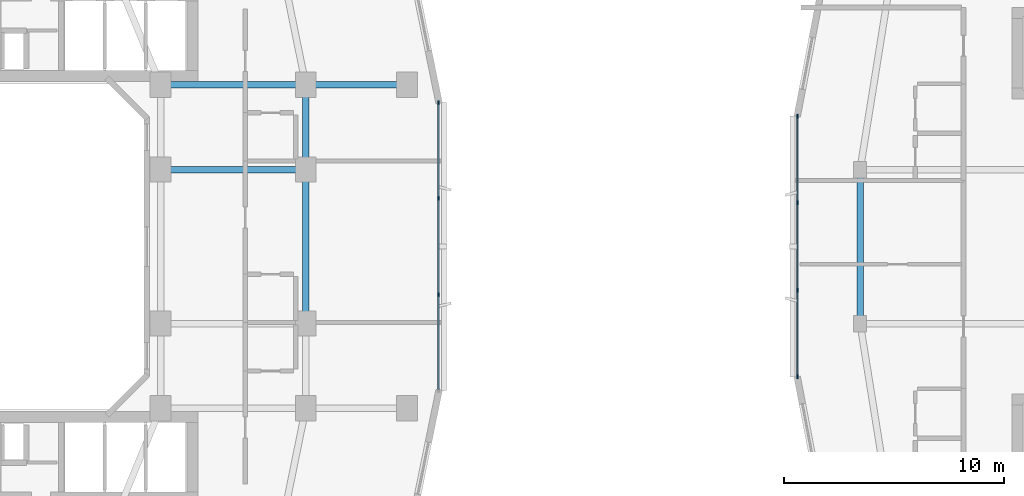
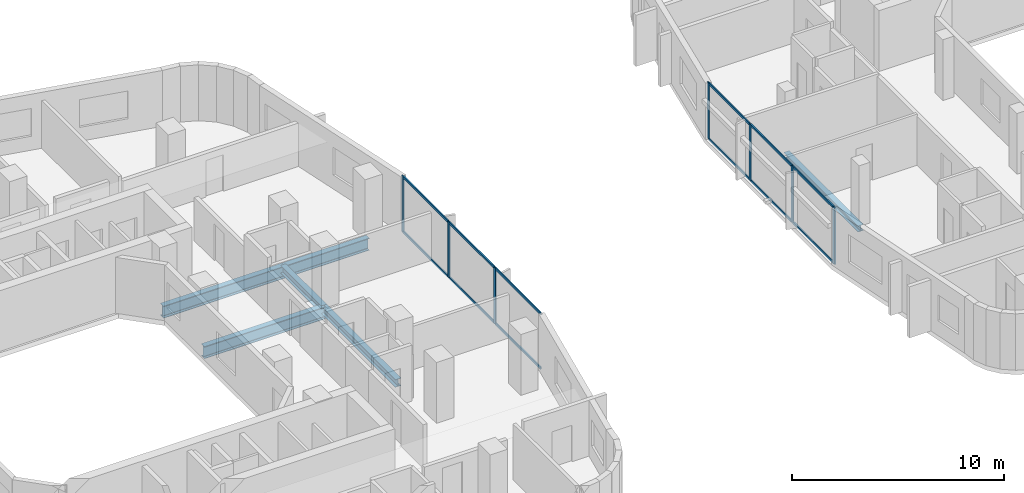
# One storey, part 5 of 27: 19 members, 6 beams, 2 elements without a shape of their own.
"""IFC4 building model written with IfcOpenShell, lengths in metres."""

from ifc_helpers import new_model, si_unit, derived_unit, direction, frame, origin, origin_2d, place, context, subcontext, project, spatial, rectangle, i_section, extrude, material, layer, layer_set, material_profile, profile_set, type_object, element, aggregate, save


model = new_model("IFC4")

# Units and contexts
model_context = context("Model", 3, precision=1e-05, world=origin(), true_north=direction((0.0, 1.0)))
body_context = subcontext(model_context, "Body", "Model", "MODEL_VIEW")
ifc_project = project(units=[si_unit("LENGTHUNIT", "METRE"), si_unit("AREAUNIT", "SQUARE_METRE"), si_unit("VOLUMEUNIT", "CUBIC_METRE"), si_unit("PLANEANGLEUNIT", "RADIAN"), si_unit("MASSUNIT", "GRAM", prefix="KILO"), derived_unit("THERMALTRANSMITTANCEUNIT", [(si_unit("POWERUNIT", "WATT"), 1), (si_unit("LENGTHUNIT", "METRE"), -2), (si_unit("THERMODYNAMICTEMPERATUREUNIT", "KELVIN"), -1)])], contexts=[model_context])

# Site, building, storey
site_placement = place(None, origin())
site = spatial("IfcSite", under=ifc_project, at=site_placement, CompositionType="ELEMENT")
building_placement = place(site_placement, origin())
building = spatial("IfcBuilding", under=site, at=building_placement, Name="Kivonza Crest Hotel", CompositionType="ELEMENT")
storey_placement = place(building_placement, frame((0.0, 0.0, 76.5)))
storey = spatial("IfcBuildingStorey", under=building, at=storey_placement, Name="L20", CompositionType="ELEMENT", Elevation=76.5)

# Beams
ifc_material_1 = material(Name="Steel S355", Category="steel")
ifc_material_profile_1 = material_profile(ifc_material_1, i_section(OverallWidth=0.300048828125, OverallDepth=0.360107421875, WebThickness=0.012451171875, FlangeThickness=0.0224609375, FilletRadius=0.027099609375, at=origin_2d()), Name="HEB 360")
ifc_profile_set_1 = profile_set([ifc_material_profile_1], Name="Steel S355")
beam_type_1 = type_object("IfcBeamType", Name="BM-HEB360", PredefinedType="SPANDREL", material=ifc_profile_set_1)
beam_1_placement = place(storey_placement, frame((61.0, 28.5, -0.429931640625), z_axis=(0.0, -1.0, 0.0), x_axis=(1.0, 0.0, 0.0)))
element("IfcBeam", 1, at=beam_1_placement, inside=storey, type_object=beam_type_1, Name="Companion Tower T2 L20 perimeter spandrel W2-W1", PredefinedType="SPANDREL", context=body_context, shape_type="SweptSolid", body=[
    extrude(i_section(OverallWidth=0.300048828125, OverallDepth=0.360107421875, WebThickness=0.012451171875, FlangeThickness=0.0224609375, FilletRadius=0.027099609375, at=origin_2d()), origin(), (0.0, 0.0, 1.0), 7.0),
])
ifc_material_profile_2 = material_profile(ifc_material_1, i_section(OverallWidth=0.300048828125, OverallDepth=0.449951171875, WebThickness=0.013916015625, FlangeThickness=0.02587890625, FilletRadius=0.027099609375, at=origin_2d()), Name="HEB 450")
ifc_profile_set_2 = profile_set([ifc_material_profile_2], Name="Steel S355")
beam_type_2 = type_object("IfcBeamType", Name="BM-HEB450", PredefinedType="SPANDREL", material=ifc_profile_set_2)
beam_2_placement = place(storey_placement, frame((35.800048828125, 21.5, -0.5048828125), z_axis=(0.0, 1.0, 0.0), x_axis=(-1.0, 0.0, 0.0)))
element("IfcBeam", 2, at=beam_2_placement, inside=storey, type_object=beam_type_2, Name="Tower T1 L20 perimeter spandrel E1-E2", PredefinedType="SPANDREL", context=body_context, shape_type="SweptSolid", body=[
    extrude(i_section(OverallWidth=0.300048828125, OverallDepth=0.449951171875, WebThickness=0.013916015625, FlangeThickness=0.02587890625, FilletRadius=0.027099609375, at=origin_2d()), origin(), (0.0, 0.0, 1.0), 7.0),
])
beam_3_placement = place(storey_placement, frame((35.800048828125, 28.5, -0.5048828125), z_axis=(0.0, 1.0, 0.0), x_axis=(-1.0, 0.0, 0.0)))
element("IfcBeam", 3, at=beam_3_placement, inside=storey, type_object=beam_type_2, Name="Tower T1 L20 perimeter spandrel E2-PNE", PredefinedType="SPANDREL", context=body_context, shape_type="SweptSolid", body=[
    extrude(i_section(OverallWidth=0.300048828125, OverallDepth=0.449951171875, WebThickness=0.013916015625, FlangeThickness=0.02587890625, FilletRadius=0.027099609375, at=origin_2d()), origin(), (0.0, 0.0, 1.0), 3.85009765625),
])
ifc_material_profile_3 = material_profile(ifc_material_1, i_section(OverallWidth=0.300048828125, OverallDepth=0.699951171875, WebThickness=0.01708984375, FlangeThickness=0.031982421875, FilletRadius=0.027099609375, at=origin_2d()), Name="HEB 700")
ifc_profile_set_3 = profile_set([ifc_material_profile_3], Name="Steel S355")
beam_type_3 = type_object("IfcBeamType", Name="BM-HEB700", PredefinedType="BEAM", material=ifc_profile_set_3)
for number, where, z_axis, x_axis, name in (
    (4, (29.199951171875, 32.35009765625, -0.6298828125), (1.0, 0.0, 0.0), (0.0, 1.0, 0.0), "Tower T1 L20 primary girder TNE-PNE"),
    (5, (29.199951171875, 28.5, -0.6298828125), (1.0, 0.0, 0.0), (0.0, 1.0, 0.0), "Tower T1 L20 primary girder WR2-E2"),
):
    element("IfcBeam", number, at=place(storey_placement, frame(where, z_axis=z_axis, x_axis=x_axis)), inside=storey, type_object=beam_type_3, Name=name, PredefinedType="BEAM", context=body_context, shape_type="SweptSolid", body=[
        extrude(i_section(OverallWidth=0.300048828125, OverallDepth=0.699951171875, WebThickness=0.01708984375, FlangeThickness=0.031982421875, FilletRadius=0.027099609375, at=origin_2d()), origin(), (0.0, 0.0, 1.0), 6.60009765625),
    ])
beam_4_placement = place(storey_placement, frame((40.39990234375, 32.35009765625, -0.6298828125), z_axis=(-1.0, 0.0, 0.0), x_axis=(0.0, -1.0, 0.0)))
element("IfcBeam", 6, at=beam_4_placement, inside=storey, type_object=beam_type_3, Name="Tower T1 L20 outer bay girder ZE2", PredefinedType="BEAM", context=body_context, shape_type="SweptSolid", body=[
    extrude(i_section(OverallWidth=0.300048828125, OverallDepth=0.699951171875, WebThickness=0.01708984375, FlangeThickness=0.031982421875, FilletRadius=0.027099609375, at=origin_2d()), origin(), (0.0, 0.0, 1.0), 4.599853515625),
])

# Curtain wall, members
ifc_material_2 = material(Name="Anodised bronze aluminium and low-E double glazing", Category="aluminium")
ifc_layer_1 = layer(ifc_material_2, 0.179931640625)
ifc_layer_set_1 = layer_set([ifc_layer_1], Name="Anodised bronze aluminium and low-E double glazing")
curtain_wall_type_1 = type_object("IfcCurtainWallType", Name="CW-SYS-2", PredefinedType="NOTDEFINED", material=ifc_layer_set_1)
curtain_wall_1_placement = place(storey_placement, origin())
curtain_wall_1 = element("IfcCurtainWall", 7, at=curtain_wall_1_placement, inside=storey, type_object=curtain_wall_type_1, Name="L20 unitised curtain wall CW-T1-L20-17", PredefinedType="NOTDEFINED")
ifc_material_3 = material(Name="Anodised bronze aluminium", Category="aluminium")
ifc_material_profile_4 = material_profile(ifc_material_3, rectangle(XDim=0.06494140625, YDim=0.179931640625, at=origin_2d()), Name="CW-M 65x180")
ifc_profile_set_4 = profile_set([ifc_material_profile_4], Name="Anodised bronze aluminium")
member_type_1 = type_object("IfcMemberType", Name="CW-MUL-65x180", PredefinedType="MULLION", material=ifc_profile_set_4)
member_1_placement = place(storey_placement, frame((41.840087890625, 22.813232421875, 0.0), z_axis=(0.0, 0.0, 1.0), x_axis=(-1.0, 0.0, 0.0)))
member_1 = element("IfcMember", 8, at=member_1_placement, type_object=member_type_1, Name="CW-2 mullion 2", PredefinedType="MULLION", context=body_context, shape_type="SweptSolid", body=[
    extrude(rectangle(XDim=0.06494140625, YDim=0.179931640625, at=origin_2d()), origin(), (0.0, 0.0, 1.0), 3.219970703125),
])
member_2_placement = place(storey_placement, frame((41.840087890625, 27.186767578125, 0.0), z_axis=(0.0, 0.0, 1.0), x_axis=(-1.0, 0.0, 0.0)))
member_2 = element("IfcMember", 9, at=member_2_placement, type_object=member_type_1, Name="CW-2 mullion 3", PredefinedType="MULLION", context=body_context, shape_type="SweptSolid", body=[
    extrude(rectangle(XDim=0.06494140625, YDim=0.179931640625, at=origin_2d()), origin(), (0.0, 0.0, 1.0), 3.219970703125),
])
member_3_placement = place(storey_placement, frame((41.840087890625, 31.527587890625, 0.0), z_axis=(0.0, 0.0, 1.0), x_axis=(-1.0, 0.0, 0.0)))
member_3 = element("IfcMember", 10, at=member_3_placement, type_object=member_type_1, Name="CW-2 mullion 4", PredefinedType="MULLION", context=body_context, shape_type="SweptSolid", body=[
    extrude(rectangle(XDim=0.06494140625, YDim=0.179931640625, at=origin_2d()), origin(), (0.0, 0.0, 1.0), 3.219970703125),
])

ifc_layer_2 = layer(ifc_material_2, 0.179931640625)
ifc_layer_set_2 = layer_set([ifc_layer_2], Name="Anodised bronze aluminium and low-E double glazing")
curtain_wall_type_2 = type_object("IfcCurtainWallType", Name="CW-SYS-4", PredefinedType="NOTDEFINED", material=ifc_layer_set_2)
curtain_wall_2_placement = place(storey_placement, origin())
curtain_wall_2 = element("IfcCurtainWall", 11, at=curtain_wall_2_placement, inside=storey, type_object=curtain_wall_type_2, Name="L20 unitised curtain wall CW-T2-L20-35", PredefinedType="NOTDEFINED")
member_4_placement = place(storey_placement, frame((58.159912109375, 30.927490234375, 0.0), z_axis=(0.0, 0.0, 1.0), x_axis=(1.0, 0.0, 0.0)))
member_4 = element("IfcMember", 12, at=member_4_placement, type_object=member_type_1, Name="CW-4 mullion 1", PredefinedType="MULLION", context=body_context, shape_type="SweptSolid", body=[
    extrude(rectangle(XDim=0.06494140625, YDim=0.179931640625, at=origin_2d()), origin(), (0.0, 0.0, 1.0), 3.25),
])
member_5_placement = place(storey_placement, frame((58.159912109375, 26.986572265625, 0.0), z_axis=(0.0, 0.0, 1.0), x_axis=(1.0, 0.0, 0.0)))
member_5 = element("IfcMember", 13, at=member_5_placement, type_object=member_type_1, Name="CW-4 mullion 2", PredefinedType="MULLION", context=body_context, shape_type="SweptSolid", body=[
    extrude(rectangle(XDim=0.06494140625, YDim=0.179931640625, at=origin_2d()), origin(), (0.0, 0.0, 1.0), 3.25),
])
member_6_placement = place(storey_placement, frame((58.159912109375, 23.013427734375, 0.0), z_axis=(0.0, 0.0, 1.0), x_axis=(1.0, 0.0, 0.0)))
member_6 = element("IfcMember", 14, at=member_6_placement, type_object=member_type_1, Name="CW-4 mullion 3", PredefinedType="MULLION", context=body_context, shape_type="SweptSolid", body=[
    extrude(rectangle(XDim=0.06494140625, YDim=0.179931640625, at=origin_2d()), origin(), (0.0, 0.0, 1.0), 3.25),
])
member_7_placement = place(storey_placement, frame((58.159912109375, 19.072509765625, 0.0), z_axis=(0.0, 0.0, 1.0), x_axis=(1.0, 0.0, 0.0)))
member_7 = element("IfcMember", 15, at=member_7_placement, type_object=member_type_1, Name="CW-4 mullion 4", PredefinedType="MULLION", context=body_context, shape_type="SweptSolid", body=[
    extrude(rectangle(XDim=0.06494140625, YDim=0.179931640625, at=origin_2d()), origin(), (0.0, 0.0, 1.0), 3.25),
])

# Member
ifc_material_profile_5 = material_profile(ifc_material_3, rectangle(XDim=0.06494140625, YDim=0.139892578125, at=origin_2d()), Name="CW-T 65x140")
ifc_profile_set_5 = profile_set([ifc_material_profile_5], Name="Anodised bronze aluminium")
member_type_2 = type_object("IfcMemberType", Name="CW-TRN-65x140", PredefinedType="USERDEFINED", material=ifc_profile_set_5)
member_8_placement = place(storey_placement, frame((41.840087890625, 18.5048828125, 0.032470703125), z_axis=(0.0, 1.0, 0.0), x_axis=(-1.0, 0.0, 0.0)))
member_8 = element("IfcMember", 16, at=member_8_placement, type_object=member_type_2, Name="CW-2 transom 1.1", ObjectType="TRANSOM", PredefinedType="USERDEFINED", context=body_context, shape_type="SweptSolid", body=[
    extrude(rectangle(XDim=0.06494140625, YDim=0.139892578125, at=origin_2d()), origin(), (0.0, 0.0, 1.0), 4.27587890625),
])

member_9_placement = place(storey_placement, frame((41.840087890625, 18.5048828125, 3.1875), z_axis=(0.0, 1.0, 0.0), x_axis=(-1.0, 0.0, 0.0)))
member_9 = element("IfcMember", 17, at=member_9_placement, type_object=member_type_2, Name="CW-2 transom 1.2", ObjectType="TRANSOM", PredefinedType="USERDEFINED", context=body_context, shape_type="SweptSolid", body=[
    extrude(rectangle(XDim=0.06494140625, YDim=0.139892578125, at=origin_2d()), origin(), (0.0, 0.0, 1.0), 4.27587890625),
])

member_10_placement = place(storey_placement, frame((41.840087890625, 22.845947265625, 0.032470703125), z_axis=(0.0, 1.0, 0.0), x_axis=(-1.0, 0.0, 0.0)))
member_10 = element("IfcMember", 18, at=member_10_placement, type_object=member_type_2, Name="CW-2 transom 2.1", ObjectType="TRANSOM", PredefinedType="USERDEFINED", context=body_context, shape_type="SweptSolid", body=[
    extrude(rectangle(XDim=0.06494140625, YDim=0.139892578125, at=origin_2d()), origin(), (0.0, 0.0, 1.0), 4.30810546875),
])

member_11_placement = place(storey_placement, frame((41.840087890625, 22.845947265625, 3.1875), z_axis=(0.0, 1.0, 0.0), x_axis=(-1.0, 0.0, 0.0)))
member_11 = element("IfcMember", 19, at=member_11_placement, type_object=member_type_2, Name="CW-2 transom 2.2", ObjectType="TRANSOM", PredefinedType="USERDEFINED", context=body_context, shape_type="SweptSolid", body=[
    extrude(rectangle(XDim=0.06494140625, YDim=0.139892578125, at=origin_2d()), origin(), (0.0, 0.0, 1.0), 4.30810546875),
])

member_12_placement = place(storey_placement, frame((41.840087890625, 27.21923828125, 0.032470703125), z_axis=(0.0, 1.0, 0.0), x_axis=(-1.0, 0.0, 0.0)))
member_12 = element("IfcMember", 20, at=member_12_placement, type_object=member_type_2, Name="CW-2 transom 3.1", ObjectType="TRANSOM", PredefinedType="USERDEFINED", context=body_context, shape_type="SweptSolid", body=[
    extrude(rectangle(XDim=0.06494140625, YDim=0.139892578125, at=origin_2d()), origin(), (0.0, 0.0, 1.0), 4.27587890625),
])

member_13_placement = place(storey_placement, frame((41.840087890625, 27.21923828125, 3.1875), z_axis=(0.0, 1.0, 0.0), x_axis=(-1.0, 0.0, 0.0)))
member_13 = element("IfcMember", 21, at=member_13_placement, type_object=member_type_2, Name="CW-2 transom 3.2", ObjectType="TRANSOM", PredefinedType="USERDEFINED", context=body_context, shape_type="SweptSolid", body=[
    extrude(rectangle(XDim=0.06494140625, YDim=0.139892578125, at=origin_2d()), origin(), (0.0, 0.0, 1.0), 4.27587890625),
])

aggregate(curtain_wall_1, [member_1, member_2, member_3, member_8, member_9, member_10, member_11, member_12, member_13])

member_14_placement = place(storey_placement, frame((58.159912109375, 30.89501953125, 0.032470703125), z_axis=(0.0, -1.0, 0.0), x_axis=(1.0, 0.0, 0.0)))
member_14 = element("IfcMember", 22, at=member_14_placement, type_object=member_type_2, Name="CW-4 transom 1.1", ObjectType="TRANSOM", PredefinedType="USERDEFINED", context=body_context, shape_type="SweptSolid", body=[
    extrude(rectangle(XDim=0.06494140625, YDim=0.139892578125, at=origin_2d()), origin(), (0.0, 0.0, 1.0), 3.875732421875),
])

member_15_placement = place(storey_placement, frame((58.159912109375, 30.89501953125, 3.217529296875), z_axis=(0.0, -1.0, 0.0), x_axis=(1.0, 0.0, 0.0)))
member_15 = element("IfcMember", 23, at=member_15_placement, type_object=member_type_2, Name="CW-4 transom 1.2", ObjectType="TRANSOM", PredefinedType="USERDEFINED", context=body_context, shape_type="SweptSolid", body=[
    extrude(rectangle(XDim=0.06494140625, YDim=0.139892578125, at=origin_2d()), origin(), (0.0, 0.0, 1.0), 3.875732421875),
])

member_16_placement = place(storey_placement, frame((58.159912109375, 26.9541015625, 0.032470703125), z_axis=(0.0, -1.0, 0.0), x_axis=(1.0, 0.0, 0.0)))
member_16 = element("IfcMember", 24, at=member_16_placement, type_object=member_type_2, Name="CW-4 transom 2.1", ObjectType="TRANSOM", PredefinedType="USERDEFINED", context=body_context, shape_type="SweptSolid", body=[
    extrude(rectangle(XDim=0.06494140625, YDim=0.139892578125, at=origin_2d()), origin(), (0.0, 0.0, 1.0), 3.908203125),
])

member_17_placement = place(storey_placement, frame((58.159912109375, 26.9541015625, 3.217529296875), z_axis=(0.0, -1.0, 0.0), x_axis=(1.0, 0.0, 0.0)))
member_17 = element("IfcMember", 25, at=member_17_placement, type_object=member_type_2, Name="CW-4 transom 2.2", ObjectType="TRANSOM", PredefinedType="USERDEFINED", context=body_context, shape_type="SweptSolid", body=[
    extrude(rectangle(XDim=0.06494140625, YDim=0.139892578125, at=origin_2d()), origin(), (0.0, 0.0, 1.0), 3.908203125),
])

member_18_placement = place(storey_placement, frame((58.159912109375, 22.980712890625, 0.032470703125), z_axis=(0.0, -1.0, 0.0), x_axis=(1.0, 0.0, 0.0)))
member_18 = element("IfcMember", 26, at=member_18_placement, type_object=member_type_2, Name="CW-4 transom 3.1", ObjectType="TRANSOM", PredefinedType="USERDEFINED", context=body_context, shape_type="SweptSolid", body=[
    extrude(rectangle(XDim=0.06494140625, YDim=0.139892578125, at=origin_2d()), origin(), (0.0, 0.0, 1.0), 3.875732421875),
])

member_19_placement = place(storey_placement, frame((58.159912109375, 22.980712890625, 3.217529296875), z_axis=(0.0, -1.0, 0.0), x_axis=(1.0, 0.0, 0.0)))
member_19 = element("IfcMember", 27, at=member_19_placement, type_object=member_type_2, Name="CW-4 transom 3.2", ObjectType="TRANSOM", PredefinedType="USERDEFINED", context=body_context, shape_type="SweptSolid", body=[
    extrude(rectangle(XDim=0.06494140625, YDim=0.139892578125, at=origin_2d()), origin(), (0.0, 0.0, 1.0), 3.875732421875),
])

aggregate(curtain_wall_2, [member_4, member_5, member_6, member_7, member_14, member_15, member_16, member_17, member_18, member_19])

save(model, "model.ifc")
